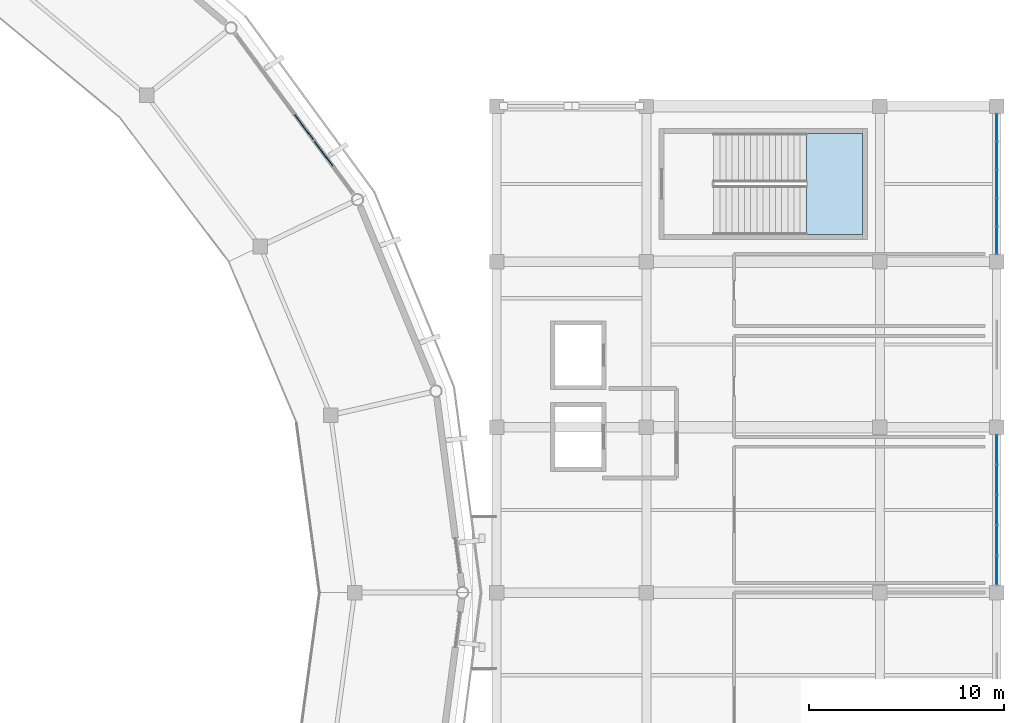
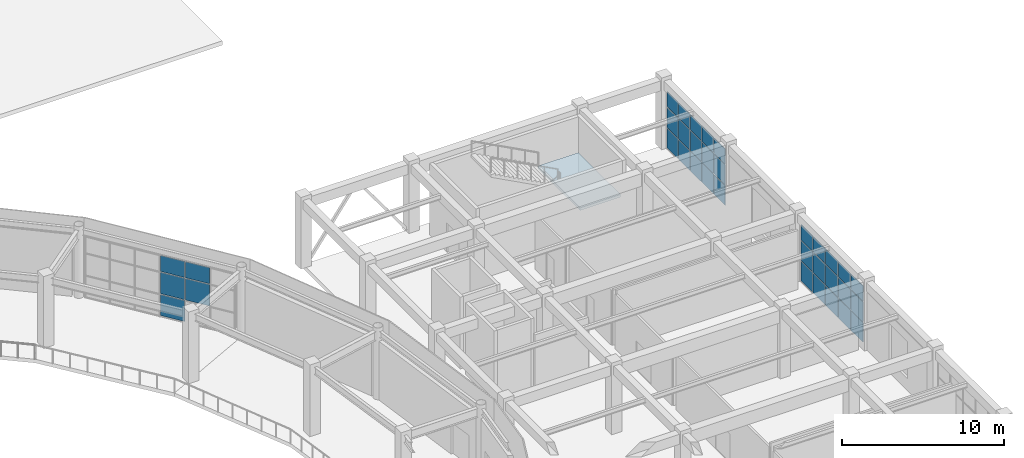
# One storey, part 48 of 70: 35 plates, 1 slab, 4 elements without a shape of their own.
"""IFC4 building model written with IfcOpenShell, lengths in metres."""

from ifc_helpers import new_model, si_unit, direction, frame, origin, origin_2d, place, context, subcontext, project, spatial, polyline, rectangle, outline, extrude, material, layer, layer_set, type_object, element, aggregate, save


model = new_model("IFC4")

# Units and contexts
model_context = context("Model", 3, precision=1e-05, world=origin(), true_north=direction((0.0, 1.0)))
body_context = subcontext(model_context, "Body", "Model", "MODEL_VIEW")
ifc_project = project(units=[si_unit("LENGTHUNIT", "METRE"), si_unit("AREAUNIT", "SQUARE_METRE"), si_unit("VOLUMEUNIT", "CUBIC_METRE"), si_unit("PLANEANGLEUNIT", "RADIAN"), si_unit("MASSUNIT", "GRAM", prefix="KILO")], contexts=[model_context])

# Site, building, storey
site_placement = place(None, origin())
site = spatial("IfcSite", under=ifc_project, at=site_placement, CompositionType="ELEMENT")
building_placement = place(site_placement, origin())
building = spatial("IfcBuilding", under=site, at=building_placement, Name="Cuetzalor Civic Arena", CompositionType="ELEMENT")
storey_placement = place(building_placement, frame((0.0, 0.0, 21.0)))
storey = spatial("IfcBuildingStorey", under=building, at=storey_placement, Name="L04", CompositionType="ELEMENT", Elevation=21.0)

# Curtain wall, plates
ifc_material_1 = material(Name="Anodised dark bronze aluminium and low-E solar glass", Category="aluminium")
curtain_wall_type_1 = type_object("IfcCurtainWallType", Name="UnitisedCW_10150x4650", PredefinedType="USERDEFINED", material=ifc_material_1)
curtain_wall_1_placement = place(storey_placement, origin())
curtain_wall_1 = element("IfcCurtainWall", 1, at=curtain_wall_1_placement, inside=storey, type_object=curtain_wall_type_1, Name="Drum Triangle Foyer Curtain Wall L04-057", ObjectType="UNITISED CURTAIN WALL", PredefinedType="USERDEFINED")
ifc_material_2 = material(Name="Acoustic laminated solar control glass", Category="glass")
ifc_layer_1 = layer(ifc_material_2, 0.0439453125)
ifc_layer_set_1 = layer_set([ifc_layer_1], Name="Acoustic laminated solar control glass")
plate_type = type_object("IfcPlateType", Name="AcousticTripleGlazedPanel_44", PredefinedType="CURTAIN_PANEL", material=ifc_layer_set_1)
plate_1_placement = place(storey_placement, frame((46.399658203125, 23.9296875, 0.06982421875), z_axis=(0.0, 0.0, 1.0), x_axis=(0.59292931222, -0.805254513002, 0.0)))
plate_1 = element("IfcPlate", 2, at=plate_1_placement, type_object=plate_type, Name="CW-06 panel 4.1", PredefinedType="CURTAIN_PANEL", context=body_context, shape_type="SweptSolid", body=[
    extrude(rectangle(XDim=1.62060546875, YDim=0.0439453125, at=origin_2d()), origin(), (0.0, 0.0, 1.0), 1.570068359375),
])
plate_2_placement = place(storey_placement, frame((46.399658203125, 23.9296875, 1.7099609375), z_axis=(0.0, 0.0, 1.0), x_axis=(0.59292931222, -0.805254513002, 0.0)))
plate_2 = element("IfcPlate", 3, at=plate_2_placement, type_object=plate_type, Name="CW-06 panel 4.2", PredefinedType="CURTAIN_PANEL", context=body_context, shape_type="SweptSolid", body=[
    extrude(rectangle(XDim=1.62060546875, YDim=0.0439453125, at=origin_2d()), origin(), (0.0, 0.0, 1.0), 1.60498046875),
])
plate_3_placement = place(storey_placement, frame((46.399658203125, 23.9296875, 3.384765625), z_axis=(0.0, 0.0, 1.0), x_axis=(0.59292931222, -0.805254513002, 0.0)))
plate_3 = element("IfcPlate", 4, at=plate_3_placement, type_object=plate_type, Name="CW-06 panel 4.3", PredefinedType="CURTAIN_PANEL", context=body_context, shape_type="SweptSolid", body=[
    extrude(rectangle(XDim=1.62060546875, YDim=0.0439453125, at=origin_2d()), origin(), (0.0, 0.0, 1.0), 1.197998046875),
])
plate_4_placement = place(storey_placement, frame((47.402099609375, 22.568359375, 1.7099609375), z_axis=(0.0, 0.0, 1.0), x_axis=(0.59292931222, -0.805254513002, 0.0)))
plate_4 = element("IfcPlate", 5, at=plate_4_placement, type_object=plate_type, Name="CW-06 panel 5.2", PredefinedType="CURTAIN_PANEL", context=body_context, shape_type="SweptSolid", body=[
    extrude(rectangle(XDim=1.62060546875, YDim=0.0439453125, at=origin_2d()), origin(), (0.0, 0.0, 1.0), 1.60498046875),
])
plate_5_placement = place(storey_placement, frame((47.402099609375, 22.568359375, 3.384765625), z_axis=(0.0, 0.0, 1.0), x_axis=(0.59292931222, -0.805254513002, 0.0)))
plate_5 = element("IfcPlate", 6, at=plate_5_placement, type_object=plate_type, Name="CW-06 panel 5.3", PredefinedType="CURTAIN_PANEL", context=body_context, shape_type="SweptSolid", body=[
    extrude(rectangle(XDim=1.62060546875, YDim=0.0439453125, at=origin_2d()), origin(), (0.0, 0.0, 1.0), 1.197998046875),
])
aggregate(curtain_wall_1, [plate_1, plate_2, plate_3, plate_4, plate_5])

ifc_material_3 = material(Name="Anodised dark bronze aluminium and low-E solar glass", Category="aluminium")
curtain_wall_type_2 = type_object("IfcCurtainWallType", Name="UnitisedCW_7800x4350", PredefinedType="USERDEFINED", material=ifc_material_3)
curtain_wall_2_placement = place(storey_placement, origin())
curtain_wall_2 = element("IfcCurtainWall", 7, at=curtain_wall_2_placement, inside=storey, type_object=curtain_wall_type_2, Name="V4E Suite Viewing Curtain Wall L04-152", ObjectType="UNITISED CURTAIN WALL", PredefinedType="USERDEFINED")
plate_6_placement = place(storey_placement, frame((82.0, 7.34814453125, 0.06494140625), z_axis=(0.0, 0.0, 1.0), x_axis=(0.0, -1.0, 0.0)))
plate_6 = element("IfcPlate", 8, at=plate_6_placement, type_object=plate_type, Name="CW-47 panel 1.1", PredefinedType="CURTAIN_PANEL", context=body_context, shape_type="SweptSolid", body=[
    extrude(rectangle(XDim=1.459716796875, YDim=0.0439453125, at=origin_2d()), origin(), (0.0, 0.0, 1.0), 1.472412109375),
])
plate_7_placement = place(storey_placement, frame((82.0, 7.34814453125, 1.6025390625), z_axis=(0.0, 0.0, 1.0), x_axis=(0.0, -1.0, 0.0)))
plate_7 = element("IfcPlate", 9, at=plate_7_placement, type_object=plate_type, Name="CW-47 panel 1.2", PredefinedType="CURTAIN_PANEL", context=body_context, shape_type="SweptSolid", body=[
    extrude(rectangle(XDim=1.459716796875, YDim=0.0439453125, at=origin_2d()), origin(), (0.0, 0.0, 1.0), 1.50390625),
])
plate_8_placement = place(storey_placement, frame((82.0, 7.34814453125, 3.17138671875), z_axis=(0.0, 0.0, 1.0), x_axis=(0.0, -1.0, 0.0)))
plate_8 = element("IfcPlate", 10, at=plate_8_placement, type_object=plate_type, Name="CW-47 panel 1.3", PredefinedType="CURTAIN_PANEL", context=body_context, shape_type="SweptSolid", body=[
    extrude(rectangle(XDim=1.459716796875, YDim=0.0439453125, at=origin_2d()), origin(), (0.0, 0.0, 1.0), 1.12353515625),
])
plate_9_placement = place(storey_placement, frame((82.0, 5.80712890625, 0.06494140625), z_axis=(0.0, 0.0, 1.0), x_axis=(0.0, -1.0, 0.0)))
plate_9 = element("IfcPlate", 11, at=plate_9_placement, type_object=plate_type, Name="CW-47 panel 2.1", PredefinedType="CURTAIN_PANEL", context=body_context, shape_type="SweptSolid", body=[
    extrude(rectangle(XDim=1.4921875, YDim=0.0439453125, at=origin_2d()), origin(), (0.0, 0.0, 1.0), 1.472412109375),
])
plate_10_placement = place(storey_placement, frame((82.0, 5.80712890625, 1.6025390625), z_axis=(0.0, 0.0, 1.0), x_axis=(0.0, -1.0, 0.0)))
plate_10 = element("IfcPlate", 12, at=plate_10_placement, type_object=plate_type, Name="CW-47 panel 2.2", PredefinedType="CURTAIN_PANEL", context=body_context, shape_type="SweptSolid", body=[
    extrude(rectangle(XDim=1.4921875, YDim=0.0439453125, at=origin_2d()), origin(), (0.0, 0.0, 1.0), 1.50390625),
])
plate_11_placement = place(storey_placement, frame((82.0, 5.80712890625, 3.17138671875), z_axis=(0.0, 0.0, 1.0), x_axis=(0.0, -1.0, 0.0)))
plate_11 = element("IfcPlate", 13, at=plate_11_placement, type_object=plate_type, Name="CW-47 panel 2.3", PredefinedType="CURTAIN_PANEL", context=body_context, shape_type="SweptSolid", body=[
    extrude(rectangle(XDim=1.4921875, YDim=0.0439453125, at=origin_2d()), origin(), (0.0, 0.0, 1.0), 1.12353515625),
])
plate_12_placement = place(storey_placement, frame((82.0, 4.25, 0.06494140625), z_axis=(0.0, 0.0, 1.0), x_axis=(0.0, -1.0, 0.0)))
plate_12 = element("IfcPlate", 14, at=plate_12_placement, type_object=plate_type, Name="CW-47 panel 3.1", PredefinedType="CURTAIN_PANEL", context=body_context, shape_type="SweptSolid", body=[
    extrude(rectangle(XDim=1.4921875, YDim=0.0439453125, at=origin_2d()), origin(), (0.0, 0.0, 1.0), 1.472412109375),
])
plate_13_placement = place(storey_placement, frame((82.0, 4.25, 1.6025390625), z_axis=(0.0, 0.0, 1.0), x_axis=(0.0, -1.0, 0.0)))
plate_13 = element("IfcPlate", 15, at=plate_13_placement, type_object=plate_type, Name="CW-47 panel 3.2", PredefinedType="CURTAIN_PANEL", context=body_context, shape_type="SweptSolid", body=[
    extrude(rectangle(XDim=1.4921875, YDim=0.0439453125, at=origin_2d()), origin(), (0.0, 0.0, 1.0), 1.50390625),
])
plate_14_placement = place(storey_placement, frame((82.0, 4.25, 3.17138671875), z_axis=(0.0, 0.0, 1.0), x_axis=(0.0, -1.0, 0.0)))
plate_14 = element("IfcPlate", 16, at=plate_14_placement, type_object=plate_type, Name="CW-47 panel 3.3", PredefinedType="CURTAIN_PANEL", context=body_context, shape_type="SweptSolid", body=[
    extrude(rectangle(XDim=1.4921875, YDim=0.0439453125, at=origin_2d()), origin(), (0.0, 0.0, 1.0), 1.12353515625),
])
plate_15_placement = place(storey_placement, frame((82.0, 2.69287109375, 0.06494140625), z_axis=(0.0, 0.0, 1.0), x_axis=(0.0, -1.0, 0.0)))
plate_15 = element("IfcPlate", 17, at=plate_15_placement, type_object=plate_type, Name="CW-47 panel 4.1", PredefinedType="CURTAIN_PANEL", context=body_context, shape_type="SweptSolid", body=[
    extrude(rectangle(XDim=1.4921875, YDim=0.0439453125, at=origin_2d()), origin(), (0.0, 0.0, 1.0), 1.472412109375),
])
plate_16_placement = place(storey_placement, frame((82.0, 2.69287109375, 1.6025390625), z_axis=(0.0, 0.0, 1.0), x_axis=(0.0, -1.0, 0.0)))
plate_16 = element("IfcPlate", 18, at=plate_16_placement, type_object=plate_type, Name="CW-47 panel 4.2", PredefinedType="CURTAIN_PANEL", context=body_context, shape_type="SweptSolid", body=[
    extrude(rectangle(XDim=1.4921875, YDim=0.0439453125, at=origin_2d()), origin(), (0.0, 0.0, 1.0), 1.50390625),
])
plate_17_placement = place(storey_placement, frame((82.0, 2.69287109375, 3.17138671875), z_axis=(0.0, 0.0, 1.0), x_axis=(0.0, -1.0, 0.0)))
plate_17 = element("IfcPlate", 19, at=plate_17_placement, type_object=plate_type, Name="CW-47 panel 4.3", PredefinedType="CURTAIN_PANEL", context=body_context, shape_type="SweptSolid", body=[
    extrude(rectangle(XDim=1.4921875, YDim=0.0439453125, at=origin_2d()), origin(), (0.0, 0.0, 1.0), 1.12353515625),
])
plate_18_placement = place(storey_placement, frame((82.0, 1.15185546875, 0.06494140625), z_axis=(0.0, 0.0, 1.0), x_axis=(0.0, -1.0, 0.0)))
plate_18 = element("IfcPlate", 20, at=plate_18_placement, type_object=plate_type, Name="CW-47 panel 5.1", PredefinedType="CURTAIN_PANEL", context=body_context, shape_type="SweptSolid", body=[
    extrude(rectangle(XDim=1.459716796875, YDim=0.0439453125, at=origin_2d()), origin(), (0.0, 0.0, 1.0), 1.472412109375),
])
plate_19_placement = place(storey_placement, frame((82.0, 1.15185546875, 1.6025390625), z_axis=(0.0, 0.0, 1.0), x_axis=(0.0, -1.0, 0.0)))
plate_19 = element("IfcPlate", 21, at=plate_19_placement, type_object=plate_type, Name="CW-47 panel 5.2", PredefinedType="CURTAIN_PANEL", context=body_context, shape_type="SweptSolid", body=[
    extrude(rectangle(XDim=1.459716796875, YDim=0.0439453125, at=origin_2d()), origin(), (0.0, 0.0, 1.0), 1.50390625),
])
plate_20_placement = place(storey_placement, frame((82.0, 1.15185546875, 3.17138671875), z_axis=(0.0, 0.0, 1.0), x_axis=(0.0, -1.0, 0.0)))
plate_20 = element("IfcPlate", 22, at=plate_20_placement, type_object=plate_type, Name="CW-47 panel 5.3", PredefinedType="CURTAIN_PANEL", context=body_context, shape_type="SweptSolid", body=[
    extrude(rectangle(XDim=1.459716796875, YDim=0.0439453125, at=origin_2d()), origin(), (0.0, 0.0, 1.0), 1.12353515625),
])
aggregate(curtain_wall_2, [plate_6, plate_7, plate_8, plate_9, plate_10, plate_11, plate_12, plate_13, plate_14, plate_15, plate_16, plate_17, plate_18, plate_19, plate_20])

ifc_material_4 = material(Name="Anodised dark bronze aluminium and low-E solar glass", Category="aluminium")
curtain_wall_type_3 = type_object("IfcCurtainWallType", Name="UnitisedCW_7300x4350", PredefinedType="USERDEFINED", material=ifc_material_4)
curtain_wall_3_placement = place(storey_placement, origin())
curtain_wall_3 = element("IfcCurtainWall", 23, at=curtain_wall_3_placement, inside=storey, type_object=curtain_wall_type_3, Name="V4E Suite Viewing Curtain Wall L04-153", ObjectType="UNITISED CURTAIN WALL", PredefinedType="USERDEFINED")
plate_21_placement = place(storey_placement, frame((82.0, 23.898193359375, 0.06494140625), z_axis=(0.0, 0.0, 1.0), x_axis=(0.0, -1.0, 0.0)))
plate_21 = element("IfcPlate", 24, at=plate_21_placement, type_object=plate_type, Name="CW-48 panel 1.1", PredefinedType="CURTAIN_PANEL", context=body_context, shape_type="SweptSolid", body=[
    extrude(rectangle(XDim=1.359619140625, YDim=0.0439453125, at=origin_2d()), origin(), (0.0, 0.0, 1.0), 1.472412109375),
])
plate_22_placement = place(storey_placement, frame((82.0, 23.898193359375, 1.6025390625), z_axis=(0.0, 0.0, 1.0), x_axis=(0.0, -1.0, 0.0)))
plate_22 = element("IfcPlate", 25, at=plate_22_placement, type_object=plate_type, Name="CW-48 panel 1.2", PredefinedType="CURTAIN_PANEL", context=body_context, shape_type="SweptSolid", body=[
    extrude(rectangle(XDim=1.359619140625, YDim=0.0439453125, at=origin_2d()), origin(), (0.0, 0.0, 1.0), 1.50390625),
])
plate_23_placement = place(storey_placement, frame((82.0, 23.898193359375, 3.17138671875), z_axis=(0.0, 0.0, 1.0), x_axis=(0.0, -1.0, 0.0)))
plate_23 = element("IfcPlate", 26, at=plate_23_placement, type_object=plate_type, Name="CW-48 panel 1.3", PredefinedType="CURTAIN_PANEL", context=body_context, shape_type="SweptSolid", body=[
    extrude(rectangle(XDim=1.359619140625, YDim=0.0439453125, at=origin_2d()), origin(), (0.0, 0.0, 1.0), 1.12353515625),
])
plate_24_placement = place(storey_placement, frame((82.0, 22.457275390625, 0.06494140625), z_axis=(0.0, 0.0, 1.0), x_axis=(0.0, -1.0, 0.0)))
plate_24 = element("IfcPlate", 27, at=plate_24_placement, type_object=plate_type, Name="CW-48 panel 2.1", PredefinedType="CURTAIN_PANEL", context=body_context, shape_type="SweptSolid", body=[
    extrude(rectangle(XDim=1.39208984375, YDim=0.0439453125, at=origin_2d()), origin(), (0.0, 0.0, 1.0), 1.472412109375),
])
plate_25_placement = place(storey_placement, frame((82.0, 22.457275390625, 1.6025390625), z_axis=(0.0, 0.0, 1.0), x_axis=(0.0, -1.0, 0.0)))
plate_25 = element("IfcPlate", 28, at=plate_25_placement, type_object=plate_type, Name="CW-48 panel 2.2", PredefinedType="CURTAIN_PANEL", context=body_context, shape_type="SweptSolid", body=[
    extrude(rectangle(XDim=1.39208984375, YDim=0.0439453125, at=origin_2d()), origin(), (0.0, 0.0, 1.0), 1.50390625),
])
plate_26_placement = place(storey_placement, frame((82.0, 22.457275390625, 3.17138671875), z_axis=(0.0, 0.0, 1.0), x_axis=(0.0, -1.0, 0.0)))
plate_26 = element("IfcPlate", 29, at=plate_26_placement, type_object=plate_type, Name="CW-48 panel 2.3", PredefinedType="CURTAIN_PANEL", context=body_context, shape_type="SweptSolid", body=[
    extrude(rectangle(XDim=1.39208984375, YDim=0.0439453125, at=origin_2d()), origin(), (0.0, 0.0, 1.0), 1.12353515625),
])
plate_27_placement = place(storey_placement, frame((82.0, 21.0, 0.06494140625), z_axis=(0.0, 0.0, 1.0), x_axis=(0.0, -1.0, 0.0)))
plate_27 = element("IfcPlate", 30, at=plate_27_placement, type_object=plate_type, Name="CW-48 panel 3.1", PredefinedType="CURTAIN_PANEL", context=body_context, shape_type="SweptSolid", body=[
    extrude(rectangle(XDim=1.39208984375, YDim=0.0439453125, at=origin_2d()), origin(), (0.0, 0.0, 1.0), 1.472412109375),
])
plate_28_placement = place(storey_placement, frame((82.0, 21.0, 1.6025390625), z_axis=(0.0, 0.0, 1.0), x_axis=(0.0, -1.0, 0.0)))
plate_28 = element("IfcPlate", 31, at=plate_28_placement, type_object=plate_type, Name="CW-48 panel 3.2", PredefinedType="CURTAIN_PANEL", context=body_context, shape_type="SweptSolid", body=[
    extrude(rectangle(XDim=1.39208984375, YDim=0.0439453125, at=origin_2d()), origin(), (0.0, 0.0, 1.0), 1.50390625),
])
plate_29_placement = place(storey_placement, frame((82.0, 21.0, 3.17138671875), z_axis=(0.0, 0.0, 1.0), x_axis=(0.0, -1.0, 0.0)))
plate_29 = element("IfcPlate", 32, at=plate_29_placement, type_object=plate_type, Name="CW-48 panel 3.3", PredefinedType="CURTAIN_PANEL", context=body_context, shape_type="SweptSolid", body=[
    extrude(rectangle(XDim=1.39208984375, YDim=0.0439453125, at=origin_2d()), origin(), (0.0, 0.0, 1.0), 1.12353515625),
])
plate_30_placement = place(storey_placement, frame((82.0, 19.542724609375, 0.06494140625), z_axis=(0.0, 0.0, 1.0), x_axis=(0.0, -1.0, 0.0)))
plate_30 = element("IfcPlate", 33, at=plate_30_placement, type_object=plate_type, Name="CW-48 panel 4.1", PredefinedType="CURTAIN_PANEL", context=body_context, shape_type="SweptSolid", body=[
    extrude(rectangle(XDim=1.39208984375, YDim=0.0439453125, at=origin_2d()), origin(), (0.0, 0.0, 1.0), 1.472412109375),
])
plate_31_placement = place(storey_placement, frame((82.0, 19.542724609375, 1.6025390625), z_axis=(0.0, 0.0, 1.0), x_axis=(0.0, -1.0, 0.0)))
plate_31 = element("IfcPlate", 34, at=plate_31_placement, type_object=plate_type, Name="CW-48 panel 4.2", PredefinedType="CURTAIN_PANEL", context=body_context, shape_type="SweptSolid", body=[
    extrude(rectangle(XDim=1.39208984375, YDim=0.0439453125, at=origin_2d()), origin(), (0.0, 0.0, 1.0), 1.50390625),
])
plate_32_placement = place(storey_placement, frame((82.0, 19.542724609375, 3.17138671875), z_axis=(0.0, 0.0, 1.0), x_axis=(0.0, -1.0, 0.0)))
plate_32 = element("IfcPlate", 35, at=plate_32_placement, type_object=plate_type, Name="CW-48 panel 4.3", PredefinedType="CURTAIN_PANEL", context=body_context, shape_type="SweptSolid", body=[
    extrude(rectangle(XDim=1.39208984375, YDim=0.0439453125, at=origin_2d()), origin(), (0.0, 0.0, 1.0), 1.12353515625),
])
plate_33_placement = place(storey_placement, frame((82.0, 18.101806640625, 0.06494140625), z_axis=(0.0, 0.0, 1.0), x_axis=(0.0, -1.0, 0.0)))
plate_33 = element("IfcPlate", 36, at=plate_33_placement, type_object=plate_type, Name="CW-48 panel 5.1", PredefinedType="CURTAIN_PANEL", context=body_context, shape_type="SweptSolid", body=[
    extrude(rectangle(XDim=1.359619140625, YDim=0.0439453125, at=origin_2d()), origin(), (0.0, 0.0, 1.0), 1.472412109375),
])
plate_34_placement = place(storey_placement, frame((82.0, 18.101806640625, 1.6025390625), z_axis=(0.0, 0.0, 1.0), x_axis=(0.0, -1.0, 0.0)))
plate_34 = element("IfcPlate", 37, at=plate_34_placement, type_object=plate_type, Name="CW-48 panel 5.2", PredefinedType="CURTAIN_PANEL", context=body_context, shape_type="SweptSolid", body=[
    extrude(rectangle(XDim=1.359619140625, YDim=0.0439453125, at=origin_2d()), origin(), (0.0, 0.0, 1.0), 1.50390625),
])
plate_35_placement = place(storey_placement, frame((82.0, 18.101806640625, 3.17138671875), z_axis=(0.0, 0.0, 1.0), x_axis=(0.0, -1.0, 0.0)))
plate_35 = element("IfcPlate", 38, at=plate_35_placement, type_object=plate_type, Name="CW-48 panel 5.3", PredefinedType="CURTAIN_PANEL", context=body_context, shape_type="SweptSolid", body=[
    extrude(rectangle(XDim=1.359619140625, YDim=0.0439453125, at=origin_2d()), origin(), (0.0, 0.0, 1.0), 1.12353515625),
])
aggregate(curtain_wall_3, [plate_21, plate_22, plate_23, plate_24, plate_25, plate_26, plate_27, plate_28, plate_29, plate_30, plate_31, plate_32, plate_33, plate_34, plate_35])

# Stair, slab
ifc_material_5 = material(Name="Precast concrete C40/50", Category="concrete")
stair_type = type_object("IfcStairType", Name="EnclosedExitStair_H540", PredefinedType="HALF_TURN_STAIR", material=ifc_material_5)
stair_placement = place(storey_placement, origin())
stair = element("IfcStair", 39, at=stair_placement, inside=storey, type_object=stair_type, Name="L04 Enclosed Exit Stair ST-22", PredefinedType="HALF_TURN_STAIR")
ifc_material_6 = material(Name="Concrete C40/50", Category="concrete")
ifc_layer_2 = layer(ifc_material_6, 0.199951171875)
ifc_layer_set_2 = layer_set([ifc_layer_2], Name="Concrete C40/50")
slab_type = type_object("IfcSlabType", Name="StairHalfLandingSlab_200", PredefinedType="LANDING", material=ifc_layer_set_2)
slab_placement = place(storey_placement, frame((0.0, 0.0, 2.5)))
slab = element("IfcSlab", 40, at=slab_placement, type_object=slab_type, Name="ST-22 landing 1", PredefinedType="LANDING", context=body_context, shape_type="SweptSolid", body=[
    extrude(outline(polyline([(72.219970703125, 18.39990234375), (75.10009765625, 18.39990234375), (75.10009765625, 23.60009765625), (72.219970703125, 23.60009765625), (72.219970703125, 18.39990234375)])), origin(), (0.0, 0.0, 1.0), 0.199951171875),
])
aggregate(stair, [slab])

save(model, "model.ifc")
